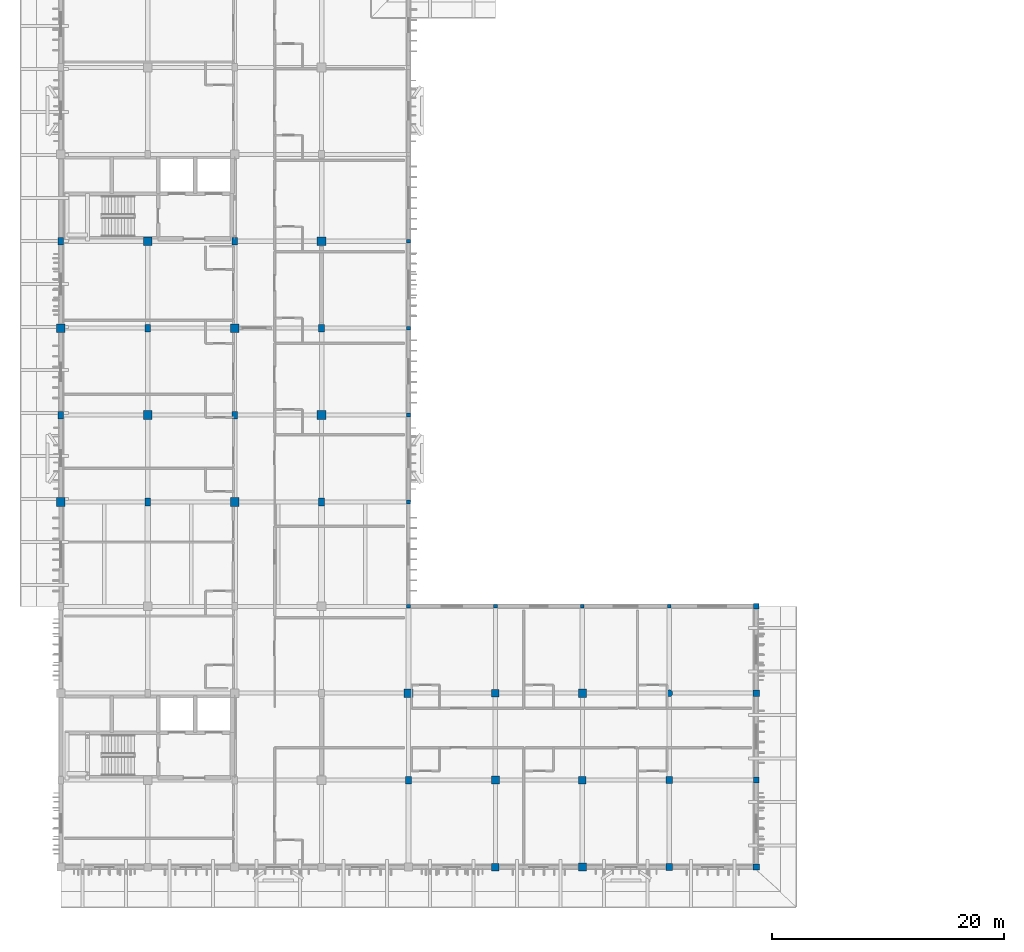
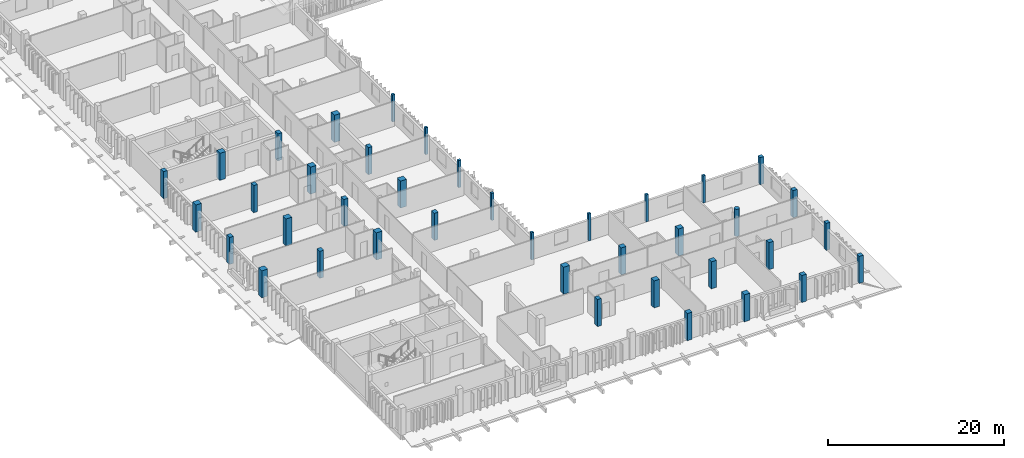
# One storey, part 2 of 43: 39 columns.
"""IFC4 building model written with IfcOpenShell, lengths in metres."""

import ifcopenshell
import ifcopenshell.guid

model = None  # the IFC model being written
_history = None  # IfcOwnerHistory: only IFC2X3 demands one
_inside = {}  # id of a spatial element -> (the spatial element, [elements in it])
_under = {}  # id of a project, library or spatial element -> (it, [spatial elements below it])
_declared = {}  # id of a project -> (the project, [libraries it declares])
_typed = {}  # id of a type object -> (the type object, [elements of that type])
_made_of = {}  # id of a material, layer set ... -> (it, [elements and type objects made of it])


def new_model(schema):
    """Start an empty IFC model of exactly this schema.

    Asked for "IFC4X3", IfcOpenShell would pick the latest addendum, in which some entities
    have other attributes; the version numbers below select the first issue.
    IFC2X3 requires an IfcOwnerHistory on every rooted entity: one is made here for all.
    """
    global model, _history
    if schema == "IFC4X3":
        model = ifcopenshell.file(schema_version=(4, 3, 0, 0))
    else:
        model = ifcopenshell.file(schema=schema)
    _inside.clear()
    _under.clear()
    _declared.clear()
    _typed.clear()
    _made_of.clear()
    _history = None
    if model.schema == "IFC2X3":
        org = make("IfcOrganization", Name="unknown")
        user = make(
            "IfcPersonAndOrganization",
            ThePerson=make("IfcPerson", FamilyName="unknown"),
            TheOrganization=org,
        )
        app = make(
            "IfcApplication",
            ApplicationDeveloper=org,
            Version="unknown",
            ApplicationFullName="unknown",
            ApplicationIdentifier="unknown",
        )
        _history = make(
            "IfcOwnerHistory",
            OwningUser=user,
            OwningApplication=app,
            ChangeAction="ADDED",
            CreationDate=0,
        )
    return model


def make(cls, **values):
    """One entity of the class cls with the attributes given. An attribute that is None is left unset."""
    return model.create_entity(
        cls, **{name: value for name, value in values.items() if value is not None}
    )


def rooted(cls, **values):
    """An entity with a GlobalId (a new one), such as an element, a storey or a relation."""
    return make(cls, GlobalId=ifcopenshell.guid.new(), OwnerHistory=_history, **values)


def si_unit(unit_type, name, prefix=None):
    """IfcSIUnit, for example si_unit("LENGTHUNIT", "METRE", prefix="MILLI")."""
    return make("IfcSIUnit", UnitType=unit_type, Prefix=prefix, Name=name)


def assignment(units):
    """IfcUnitAssignment: the units of a project."""
    return None if units is None else make("IfcUnitAssignment", Units=units)


def point(xyz):
    """IfcCartesianPoint."""
    return None if xyz is None else make("IfcCartesianPoint", Coordinates=xyz)


def direction(xyz):
    """IfcDirection."""
    return None if xyz is None else make("IfcDirection", DirectionRatios=xyz)


def frame(location, z_axis=None, x_axis=None):
    """IfcAxis2Placement3D, a coordinate frame: its origin and axes. An axis left out is left unset."""
    return make(
        "IfcAxis2Placement3D",
        Location=point(location),
        Axis=direction(z_axis),
        RefDirection=direction(x_axis),
    )


def frame_2d(location, x_axis=None):
    """IfcAxis2Placement2D, a coordinate frame in the plane: its origin and x axis."""
    return make(
        "IfcAxis2Placement2D", Location=point(location), RefDirection=direction(x_axis)
    )


def origin():
    """The frame at (0, 0, 0) with its axes left unset."""
    return frame((0.0, 0.0, 0.0))


def origin_2d():
    """The frame at (0, 0) in the plane with its x axis left unset."""
    return frame_2d((0.0, 0.0))


def place(relative_to, where):
    """IfcLocalPlacement: puts the frame where relative to a parent placement (None: the world)."""
    return make(
        "IfcLocalPlacement", PlacementRelTo=relative_to, RelativePlacement=where
    )


def context(
    kind, dimensions, precision=None, world=None, true_north=None, identifier=None
):
    """IfcGeometricRepresentationContext, for example the 3D "Model" context."""
    return make(
        "IfcGeometricRepresentationContext",
        ContextIdentifier=identifier,
        ContextType=kind,
        CoordinateSpaceDimension=dimensions,
        Precision=precision,
        WorldCoordinateSystem=world,
        TrueNorth=true_north,
    )


def subcontext(parent, identifier, kind, view, scale=None):
    """IfcGeometricRepresentationSubContext, for example "Body" below "Model"."""
    return make(
        "IfcGeometricRepresentationSubContext",
        ContextIdentifier=identifier,
        ContextType=kind,
        ParentContext=parent,
        TargetScale=scale,
        TargetView=view,
    )


def project(units=None, contexts=None):
    """IfcProject with its units and contexts."""
    return rooted(
        "IfcProject",
        Name="project",
        RepresentationContexts=contexts,
        UnitsInContext=assignment(units),
    )


def spatial(cls, under=None, at=None, **own):
    """A site, building, storey or space (cls), placed at a placement, below another one or the project."""
    s = rooted(cls, ObjectPlacement=at, **own)
    if under is not None:
        _under.setdefault(under.id(), (under, []))[1].append(s)
    return s


def profile(cls, at=None, kind="AREA", **sizes):
    """A parametric profile (cls). Its sizes go by their IFC names, for example OverallWidth=200.0."""
    return make(cls, ProfileType=kind, Position=at, **sizes)


def rectangle(**sizes):
    """IfcRectangleProfileDef."""
    return profile("IfcRectangleProfileDef", **sizes)


def circle(**sizes):
    """IfcCircleProfileDef."""
    return profile("IfcCircleProfileDef", **sizes)


def extrude(swept, where, along, depth):
    """IfcExtrudedAreaSolid: the profile swept, set in the frame where, extruded along a direction by depth."""
    return make(
        "IfcExtrudedAreaSolid",
        SweptArea=swept,
        Position=where,
        ExtrudedDirection=direction(along),
        Depth=depth,
    )


def shape(context_of_items, identifier, shape_type, items):
    """IfcShapeRepresentation: the items that make up one representation, for example the "Body"."""
    return make(
        "IfcShapeRepresentation",
        ContextOfItems=context_of_items,
        RepresentationIdentifier=identifier,
        RepresentationType=shape_type,
        Items=items,
    )


def material(Name=None, Category=None):
    """IfcMaterial."""
    return make("IfcMaterial", Name=Name, Category=Category)


def material_profile(
    of_material, cross_section, Name=None, Category=None, Priority=None
):
    """IfcMaterialProfile: a cross section and its material."""
    return make(
        "IfcMaterialProfile",
        Name=Name,
        Material=of_material,
        Profile=cross_section,
        Priority=Priority,
        Category=Category,
    )


def profile_set(profiles, Name=None, composite=None):
    """IfcMaterialProfileSet."""
    return make(
        "IfcMaterialProfileSet",
        Name=Name,
        MaterialProfiles=profiles,
        CompositeProfile=composite,
    )


def made_of(thing, what):
    """Note that an element or type object is made of a material, layer set ...; save() writes the relation."""
    if what is not None:
        _made_of.setdefault(what.id(), (what, []))[1].append(thing)
    return thing


def type_object(cls, material=None, **own):
    """A type object (cls), such as IfcWallType, which elements share."""
    return made_of(rooted(cls, **own), material)


def element(
    cls,
    number,
    at=None,
    inside=None,
    cuts=None,
    type_object=None,
    material=None,
    context=None,
    identifier="Body",
    shape_type=None,
    held_by="IfcProductDefinitionShape",
    body=None,
    shapes=None,
    **own,
):
    """One element of the class cls, such as IfcWall. Its Tag is "e" and its number.

    at: its placement. inside: the storey or other place that contains it. cuts: it is an
    opening in that element (IfcRelVoidsElement). A single representation is given by context,
    identifier, shape_type and body (its items); several are given by shapes. held_by: the class
    of the entity that holds the representations. save() writes the other relations.
    """
    e = rooted(cls, Tag="e%d" % number, ObjectPlacement=at, **own)
    if body is not None:
        shapes = [shape(context, identifier, shape_type, body)]
    if shapes is not None:
        e.Representation = make(held_by, Representations=shapes)
    if inside is not None:
        _inside.setdefault(inside.id(), (inside, []))[1].append(e)
    if cuts is not None:
        rooted(
            "IfcRelVoidsElement", RelatingBuildingElement=cuts, RelatedOpeningElement=e
        )
    if type_object is not None:
        _typed.setdefault(type_object.id(), (type_object, []))[1].append(e)
    return made_of(e, material)


def aggregate(whole, parts):
    """IfcRelAggregates: a whole, such as a stair, and the parts it consists of."""
    return rooted("IfcRelAggregates", RelatingObject=whole, RelatedObjects=parts)


def save(model, path):
    """Write the relations noted so far, then the file.

    IfcRelAggregates (storeys below a building ...), IfcRelContainedInSpatialStructure (elements
    in a storey), IfcRelDefinesByType, IfcRelAssociatesMaterial and IfcRelDeclares: one each for
    every whole, place, type object, material and project.
    """
    for whole, parts in _under.values():
        aggregate(whole, parts)
    for where, things in _inside.values():
        rooted(
            "IfcRelContainedInSpatialStructure",
            RelatedElements=things,
            RelatingStructure=where,
        )
    for kind, things in _typed.values():
        rooted("IfcRelDefinesByType", RelatedObjects=things, RelatingType=kind)
    for what, things in _made_of.values():
        rooted("IfcRelAssociatesMaterial", RelatedObjects=things, RelatingMaterial=what)
    for by, libraries in _declared.values():
        rooted("IfcRelDeclares", RelatingContext=by, RelatedDefinitions=libraries)
    model.write(path)


model = new_model("IFC4")

# Units and contexts
model_context = context("Model", 3, precision=1e-05, world=origin(), true_north=direction((0.0, 1.0)))
body_context = subcontext(model_context, "Body", "Model", "MODEL_VIEW")
ifc_project = project(units=[si_unit("LENGTHUNIT", "METRE"), si_unit("AREAUNIT", "SQUARE_METRE"), si_unit("VOLUMEUNIT", "CUBIC_METRE"), si_unit("PLANEANGLEUNIT", "RADIAN"), si_unit("MASSUNIT", "GRAM", prefix="KILO")], contexts=[model_context])

# Site, building, storey
site_placement = place(None, origin())
site = spatial("IfcSite", under=ifc_project, at=site_placement, CompositionType="ELEMENT")
building_placement = place(site_placement, origin())
building = spatial("IfcBuilding", under=site, at=building_placement, Name="Dalvernix Boulevard General Hospital", CompositionType="ELEMENT")
storey_placement = place(building_placement, frame((0.0, 0.0, 14.10009765625)))
storey = spatial("IfcBuildingStorey", under=building, at=storey_placement, Name="L03", CompositionType="ELEMENT", Elevation=14.10009765625)

# Columns
ifc_material_1 = material(Name="Concrete C40/50", Category="concrete")
ifc_material_profile_1 = material_profile(ifc_material_1, rectangle(XDim=0.75, YDim=0.75, at=origin_2d()), Name="RC 750x750")
ifc_profile_set_1 = profile_set([ifc_material_profile_1], Name="Concrete C40/50")
column_type_1 = type_object("IfcColumnType", Name="COL-C-04-E", PredefinedType="COLUMN", material=ifc_profile_set_1)
for number, where, z_axis, x_axis, name in (
    (1, (0.0, 31.5, 0.0), (0.0, 0.0, 1.0), (1.0, 0.0, 0.0), "L03 column 1E"),
    (2, (0.0, 46.5, 0.0), (0.0, 0.0, 1.0), (1.0, 0.0, 0.0), "L03 column 1G"),
):
    element("IfcColumn", number, at=place(storey_placement, frame(where, z_axis=z_axis, x_axis=x_axis)), inside=storey, type_object=column_type_1, Name=name, PredefinedType="COLUMN", context=body_context, shape_type="SweptSolid", body=[
        extrude(rectangle(XDim=0.75, YDim=0.75, at=origin_2d()), origin(), (0.0, 0.0, 1.0), 3.75),
    ])
ifc_material_profile_2 = material_profile(ifc_material_1, rectangle(XDim=0.75, YDim=0.75, at=origin_2d()), Name="RC 750x750")
ifc_profile_set_2 = profile_set([ifc_material_profile_2], Name="Concrete C40/50")
column_type_2 = type_object("IfcColumnType", Name="COL-C-04-I", PredefinedType="COLUMN", material=ifc_profile_set_2)
for number, where, z_axis, x_axis, name in (
    (3, (7.5, 39.0, 0.0), (0.0, 0.0, 1.0), (1.0, 0.0, 0.0), "L03 column 2F"),
    (4, (7.5, 54.0, 0.0), (0.0, 0.0, 1.0), (1.0, 0.0, 0.0), "L03 column 2H"),
    (5, (15.0, 31.5, 0.0), (0.0, 0.0, 1.0), (1.0, 0.0, 0.0), "L03 column 3E"),
    (6, (15.0, 46.5, 0.0), (0.0, 0.0, 1.0), (1.0, 0.0, 0.0), "L03 column 3G"),
    (7, (22.5, 39.0, 0.0), (0.0, 0.0, 1.0), (1.0, 0.0, 0.0), "L03 column 4F"),
    (8, (22.5, 54.0, 0.0), (0.0, 0.0, 1.0), (1.0, 0.0, 0.0), "L03 column 4H"),
    (9, (30.0, 15.0, 0.0), (0.0, 0.0, 1.0), (1.0, 0.0, 0.0), "L03 column 5C"),
):
    element("IfcColumn", number, at=place(storey_placement, frame(where, z_axis=z_axis, x_axis=x_axis)), inside=storey, type_object=column_type_2, Name=name, PredefinedType="COLUMN", context=body_context, shape_type="SweptSolid", body=[
        extrude(rectangle(XDim=0.75, YDim=0.75, at=origin_2d()), origin(), (0.0, 0.0, 1.0), 3.75),
    ])
ifc_material_profile_3 = material_profile(ifc_material_1, rectangle(XDim=0.699951171875, YDim=0.699951171875, at=origin_2d()), Name="RC 700x700")
ifc_profile_set_3 = profile_set([ifc_material_profile_3], Name="Concrete C40/50")
column_type_3 = type_object("IfcColumnType", Name="COL-C-05-E", PredefinedType="COLUMN", material=ifc_profile_set_3)
column_1_placement = place(storey_placement, frame((45.0, 0.0, 0.0), z_axis=(0.0, 0.0, 1.0), x_axis=(1.0, 0.0, 0.0)))
element("IfcColumn", 10, at=column_1_placement, inside=storey, type_object=column_type_3, Name="L03 column 7A", PredefinedType="COLUMN", context=body_context, shape_type="SweptSolid", body=[
    extrude(rectangle(XDim=0.699951171875, YDim=0.699951171875, at=origin_2d()), origin(), (0.0, 0.0, 1.0), 3.75),
])
ifc_material_profile_4 = material_profile(ifc_material_1, rectangle(XDim=0.699951171875, YDim=0.699951171875, at=origin_2d()), Name="RC 700x700")
ifc_profile_set_4 = profile_set([ifc_material_profile_4], Name="Concrete C40/50")
column_type_4 = type_object("IfcColumnType", Name="COL-C-05-I", PredefinedType="COLUMN", material=ifc_profile_set_4)
for number, where, z_axis, x_axis, name in (
    (11, (37.5, 7.5, 0.0), (0.0, 0.0, 1.0), (1.0, 0.0, 0.0), "L03 column 6B"),
    (12, (45.0, 15.0, 0.0), (0.0, 0.0, 1.0), (1.0, 0.0, 0.0), "L03 column 7C"),
):
    element("IfcColumn", number, at=place(storey_placement, frame(where, z_axis=z_axis, x_axis=x_axis)), inside=storey, type_object=column_type_4, Name=name, PredefinedType="COLUMN", context=body_context, shape_type="SweptSolid", body=[
        extrude(rectangle(XDim=0.699951171875, YDim=0.699951171875, at=origin_2d()), origin(), (0.0, 0.0, 1.0), 3.75),
    ])
ifc_material_profile_5 = material_profile(ifc_material_1, rectangle(XDim=0.64990234375, YDim=0.64990234375, at=origin_2d()), Name="RC 650x650")
ifc_profile_set_5 = profile_set([ifc_material_profile_5], Name="Concrete C40/50")
column_type_5 = type_object("IfcColumnType", Name="COL-C-06-E", PredefinedType="COLUMN", material=ifc_profile_set_5)
column_2_placement = place(storey_placement, frame((37.5, 0.0, 0.0), z_axis=(0.0, 0.0, 1.0), x_axis=(1.0, 0.0, 0.0)))
element("IfcColumn", 13, at=column_2_placement, inside=storey, type_object=column_type_5, Name="L03 column 6A", PredefinedType="COLUMN", context=body_context, shape_type="SweptSolid", body=[
    extrude(rectangle(XDim=0.64990234375, YDim=0.64990234375, at=origin_2d()), origin(), (0.0, 0.0, 1.0), 3.75),
])
ifc_material_profile_6 = material_profile(ifc_material_1, rectangle(XDim=0.64990234375, YDim=0.64990234375, at=origin_2d()), Name="RC 650x650")
ifc_profile_set_6 = profile_set([ifc_material_profile_6], Name="Concrete C40/50")
column_type_6 = type_object("IfcColumnType", Name="COL-C-06-I", PredefinedType="COLUMN", material=ifc_profile_set_6)
for number, where, z_axis, x_axis, name in (
    (14, (37.5, 15.0, 0.0), (0.0, 0.0, 1.0), (1.0, 0.0, 0.0), "L03 column 6C"),
    (15, (45.0, 7.5, 0.0), (0.0, 0.0, 1.0), (1.0, 0.0, 0.0), "L03 column 7B"),
):
    element("IfcColumn", number, at=place(storey_placement, frame(where, z_axis=z_axis, x_axis=x_axis)), inside=storey, type_object=column_type_6, Name=name, PredefinedType="COLUMN", context=body_context, shape_type="SweptSolid", body=[
        extrude(rectangle(XDim=0.64990234375, YDim=0.64990234375, at=origin_2d()), origin(), (0.0, 0.0, 1.0), 3.75),
    ])
ifc_material_profile_7 = material_profile(ifc_material_1, rectangle(XDim=0.60009765625, YDim=0.60009765625, at=origin_2d()), Name="RC 600x600")
ifc_profile_set_7 = profile_set([ifc_material_profile_7], Name="Concrete C40/50")
column_type_7 = type_object("IfcColumnType", Name="COL-C-07-E", PredefinedType="COLUMN", material=ifc_profile_set_7)
column_3_placement = place(storey_placement, frame((52.5, 0.0, 0.0), z_axis=(0.0, 0.0, 1.0), x_axis=(1.0, 0.0, 0.0)))
element("IfcColumn", 16, at=column_3_placement, inside=storey, type_object=column_type_7, Name="L03 column 8A", PredefinedType="COLUMN", context=body_context, shape_type="SweptSolid", body=[
    extrude(rectangle(XDim=0.60009765625, YDim=0.60009765625, at=origin_2d()), origin(), (0.0, 0.0, 1.0), 3.75),
])
ifc_material_profile_8 = material_profile(ifc_material_1, rectangle(XDim=0.60009765625, YDim=0.60009765625, at=origin_2d()), Name="RC 600x600")
ifc_profile_set_8 = profile_set([ifc_material_profile_8], Name="Concrete C40/50")
column_type_8 = type_object("IfcColumnType", Name="COL-C-07-I", PredefinedType="COLUMN", material=ifc_profile_set_8)
column_4_placement = place(storey_placement, frame((52.5, 7.5, 0.0), z_axis=(0.0, 0.0, 1.0), x_axis=(1.0, 0.0, 0.0)))
element("IfcColumn", 17, at=column_4_placement, inside=storey, type_object=column_type_8, Name="L03 column 8B", PredefinedType="COLUMN", context=body_context, shape_type="SweptSolid", body=[
    extrude(rectangle(XDim=0.60009765625, YDim=0.60009765625, at=origin_2d()), origin(), (0.0, 0.0, 1.0), 3.75),
])
ifc_material_profile_9 = material_profile(ifc_material_1, rectangle(XDim=0.550048828125, YDim=0.550048828125, at=origin_2d()), Name="RC 550x550")
ifc_profile_set_9 = profile_set([ifc_material_profile_9], Name="Concrete C40/50")
column_type_9 = type_object("IfcColumnType", Name="COL-C-08-E", PredefinedType="COLUMN", material=ifc_profile_set_9)
for number, where, z_axis, x_axis, name in (
    (18, (60.0, 0.0, 0.0), (0.0, 0.0, 1.0), (1.0, 0.0, 0.0), "L03 column 9A"),
    (19, (60.0, 15.0, 0.0), (0.0, 0.0, 1.0), (1.0, 0.0, 0.0), "L03 column 9C"),
):
    element("IfcColumn", number, at=place(storey_placement, frame(where, z_axis=z_axis, x_axis=x_axis)), inside=storey, type_object=column_type_9, Name=name, PredefinedType="COLUMN", context=body_context, shape_type="SweptSolid", body=[
        extrude(rectangle(XDim=0.550048828125, YDim=0.550048828125, at=origin_2d()), origin(), (0.0, 0.0, 1.0), 3.75),
    ])
ifc_material_profile_10 = material_profile(ifc_material_1, rectangle(XDim=0.5, YDim=0.5, at=origin_2d()), Name="RC 500x500")
ifc_profile_set_10 = profile_set([ifc_material_profile_10], Name="Concrete C40/50")
column_type_10 = type_object("IfcColumnType", Name="COL-C-09-E", PredefinedType="COLUMN", material=ifc_profile_set_10)
for number, where, z_axis, x_axis, name in (
    (20, (60.0, 7.5, 0.0), (0.0, 0.0, 1.0), (1.0, 0.0, 0.0), "L03 column 9B"),
    (21, (60.0, 22.5, 0.0), (0.0, 0.0, 1.0), (1.0, 0.0, 0.0), "L03 column 9D"),
):
    element("IfcColumn", number, at=place(storey_placement, frame(where, z_axis=z_axis, x_axis=x_axis)), inside=storey, type_object=column_type_10, Name=name, PredefinedType="COLUMN", context=body_context, shape_type="SweptSolid", body=[
        extrude(rectangle(XDim=0.5, YDim=0.5, at=origin_2d()), origin(), (0.0, 0.0, 1.0), 3.75),
    ])
ifc_material_profile_11 = material_profile(ifc_material_1, rectangle(XDim=0.5, YDim=0.64990234375, at=origin_2d()), Name="RC 500x650")
ifc_profile_set_11 = profile_set([ifc_material_profile_11], Name="Concrete C40/50")
column_type_11 = type_object("IfcColumnType", Name="COL-C-12-E", PredefinedType="COLUMN", material=ifc_profile_set_11)
for number, where, z_axis, x_axis, name in (
    (22, (0.0, 39.0, 0.0), (0.0, 0.0, 1.0), (1.0, 0.0, 0.0), "L03 column 1F"),
    (23, (0.0, 54.0, 0.0), (0.0, 0.0, 1.0), (1.0, 0.0, 0.0), "L03 column 1H"),
):
    element("IfcColumn", number, at=place(storey_placement, frame(where, z_axis=z_axis, x_axis=x_axis)), inside=storey, type_object=column_type_11, Name=name, PredefinedType="COLUMN", context=body_context, shape_type="SweptSolid", body=[
        extrude(rectangle(XDim=0.5, YDim=0.64990234375, at=origin_2d()), origin(), (0.0, 0.0, 1.0), 3.75),
    ])
ifc_material_profile_12 = material_profile(ifc_material_1, rectangle(XDim=0.5, YDim=0.64990234375, at=origin_2d()), Name="RC 500x650")
ifc_profile_set_12 = profile_set([ifc_material_profile_12], Name="Concrete C40/50")
column_type_12 = type_object("IfcColumnType", Name="COL-C-12-I", PredefinedType="COLUMN", material=ifc_profile_set_12)
for number, where, z_axis, x_axis, name in (
    (24, (7.5, 31.5, 0.0), (0.0, 0.0, 1.0), (1.0, 0.0, 0.0), "L03 column 2E"),
    (25, (7.5, 46.5, 0.0), (0.0, 0.0, 1.0), (1.0, 0.0, 0.0), "L03 column 2G"),
    (26, (15.0, 39.0, 0.0), (0.0, 0.0, 1.0), (1.0, 0.0, 0.0), "L03 column 3F"),
    (27, (15.0, 54.0, 0.0), (0.0, 0.0, 1.0), (1.0, 0.0, 0.0), "L03 column 3H"),
    (28, (22.5, 31.5, 0.0), (0.0, 0.0, 1.0), (1.0, 0.0, 0.0), "L03 column 4E"),
    (29, (22.5, 46.5, 0.0), (0.0, 0.0, 1.0), (1.0, 0.0, 0.0), "L03 column 4G"),
    (30, (30.0, 7.5, 0.0), (0.0, 0.0, 1.0), (1.0, 0.0, 0.0), "L03 column 5B"),
):
    element("IfcColumn", number, at=place(storey_placement, frame(where, z_axis=z_axis, x_axis=x_axis)), inside=storey, type_object=column_type_12, Name=name, PredefinedType="COLUMN", context=body_context, shape_type="SweptSolid", body=[
        extrude(rectangle(XDim=0.5, YDim=0.64990234375, at=origin_2d()), origin(), (0.0, 0.0, 1.0), 3.75),
    ])
ifc_material_profile_13 = material_profile(ifc_material_1, circle(Radius=0.300048828125, at=origin_2d()), Name="RC D600")
ifc_profile_set_13 = profile_set([ifc_material_profile_13], Name="Concrete C40/50")
column_type_13 = type_object("IfcColumnType", Name="COL-C-15-I", PredefinedType="COLUMN", material=ifc_profile_set_13)
column_5_placement = place(storey_placement, frame((52.5, 15.0, 0.0), z_axis=(0.0, 0.0, 1.0), x_axis=(1.0, 0.0, 0.0)))
element("IfcColumn", 31, at=column_5_placement, inside=storey, type_object=column_type_13, Name="L03 column 8C", PredefinedType="COLUMN", context=body_context, shape_type="SweptSolid", body=[
    extrude(circle(Radius=0.300048828125, at=origin_2d()), origin(), (0.0, 0.0, 1.0), 3.75),
])
ifc_material_2 = material(Name="Glulam GL28h", Category="wood")
ifc_material_profile_14 = material_profile(ifc_material_2, rectangle(XDim=0.320068359375, YDim=0.320068359375, at=origin_2d()), Name="GL28h 320x320")
ifc_profile_set_14 = profile_set([ifc_material_profile_14], Name="Glulam GL28h")
column_type_14 = type_object("IfcColumnType", Name="COL-C-20-E", PredefinedType="COLUMN", material=ifc_profile_set_14)
for number, where, z_axis, x_axis, name in (
    (32, (30.0, 22.5, 0.0), (0.0, 0.0, 1.0), (1.0, 0.0, 0.0), "L03 column 5D"),
    (33, (30.0, 31.5, 0.0), (0.0, 0.0, 1.0), (1.0, 0.0, 0.0), "L03 column 5E"),
    (34, (30.0, 39.0, 0.0), (0.0, 0.0, 1.0), (1.0, 0.0, 0.0), "L03 column 5F"),
    (35, (30.0, 46.5, 0.0), (0.0, 0.0, 1.0), (1.0, 0.0, 0.0), "L03 column 5G"),
    (36, (30.0, 54.0, 0.0), (0.0, 0.0, 1.0), (1.0, 0.0, 0.0), "L03 column 5H"),
    (37, (37.5, 22.5, 0.0), (0.0, 0.0, 1.0), (1.0, 0.0, 0.0), "L03 column 6D"),
    (38, (45.0, 22.5, 0.0), (0.0, 0.0, 1.0), (1.0, 0.0, 0.0), "L03 column 7D"),
    (39, (52.5, 22.5, 0.0), (0.0, 0.0, 1.0), (1.0, 0.0, 0.0), "L03 column 8D"),
):
    element("IfcColumn", number, at=place(storey_placement, frame(where, z_axis=z_axis, x_axis=x_axis)), inside=storey, type_object=column_type_14, Name=name, PredefinedType="COLUMN", context=body_context, shape_type="SweptSolid", body=[
        extrude(rectangle(XDim=0.320068359375, YDim=0.320068359375, at=origin_2d()), origin(), (0.0, 0.0, 1.0), 3.75),
    ])

save(model, "model.ifc")
